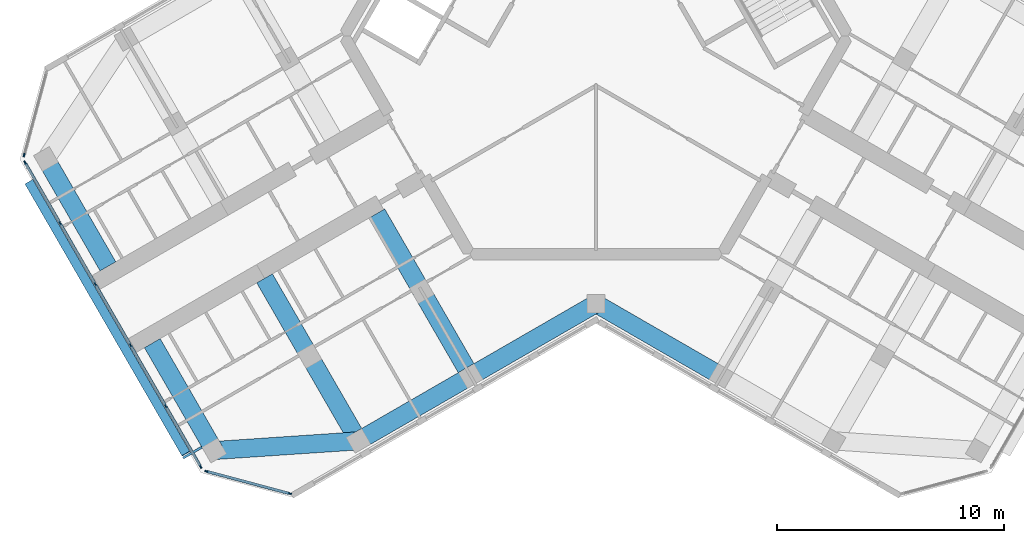
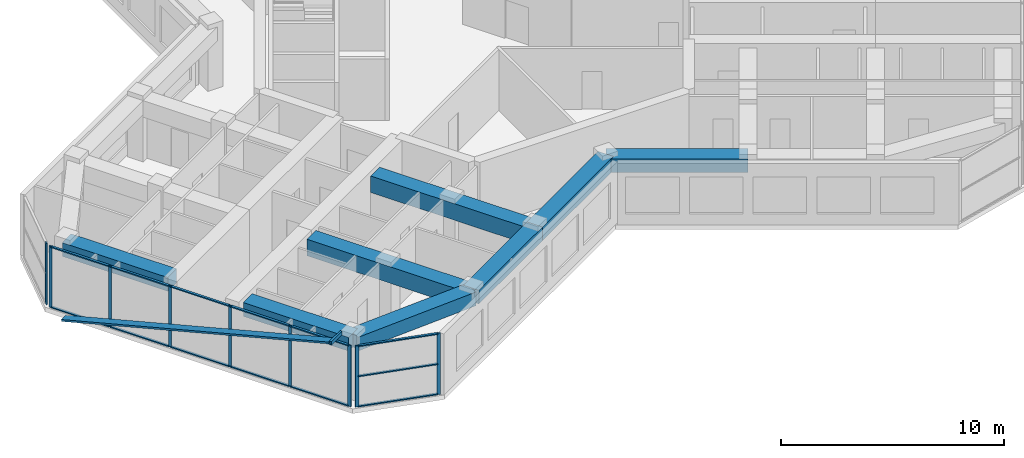
# One storey, part 2 of 14: 24 members, 8 beams, 3 elements without a shape of their own.
"""IFC4 building model written with IfcOpenShell, lengths in metres."""

from ifc_helpers import new_model, si_unit, direction, frame, origin, origin_2d, place, context, subcontext, project, spatial, rectangle, hollow_rectangle, extrude, material, material_profile, profile_set, type_object, element, aggregate, save


model = new_model("IFC4")

# Units and contexts
model_context = context("Model", 3, precision=1e-05, world=origin(), true_north=direction((0.0, 1.0)))
body_context = subcontext(model_context, "Body", "Model", "MODEL_VIEW")
ifc_project = project(units=[si_unit("LENGTHUNIT", "METRE"), si_unit("AREAUNIT", "SQUARE_METRE"), si_unit("VOLUMEUNIT", "CUBIC_METRE"), si_unit("PLANEANGLEUNIT", "RADIAN"), si_unit("MASSUNIT", "GRAM", prefix="KILO")], contexts=[model_context])

# Site, building, storey
site_placement = place(None, origin())
site = spatial("IfcSite", under=ifc_project, at=site_placement, CompositionType="ELEMENT")
building_placement = place(site_placement, origin())
building = spatial("IfcBuilding", under=site, at=building_placement, Name="Kosmar Iwan School Tower", CompositionType="ELEMENT")
storey_placement = place(building_placement, frame((0.0, 0.0, 285.39990234375)))
storey = spatial("IfcBuildingStorey", under=building, at=storey_placement, Name="L72", CompositionType="ELEMENT", Elevation=285.39990234375)

# Members
ifc_material_1 = material(Name="Black anodised aluminium", Category="aluminium")
ifc_material_profile_1 = material_profile(ifc_material_1, rectangle(XDim=0.10009765625, YDim=0.39990234375, at=origin_2d()), Name="FIN 100x400")
ifc_profile_set_1 = profile_set([ifc_material_profile_1], Name="Black anodised aluminium")
member_type_1 = type_object("IfcMemberType", Name="Diagonal fin 100x400", PredefinedType="USERDEFINED", material=ifc_profile_set_1)
member_1_placement = place(storey_placement, frame((-24.926513671875, -6.426025390625, -0.14990234375), z_axis=(0.483800388566, -0.837965217343, 0.2524905514), x_axis=(-0.126245460598, 0.218663124976, 0.96759935999)))
element("IfcMember", 1, at=member_1_placement, inside=storey, type_object=member_type_1, Name="Diagonal fin L72-F13", ObjectType="FIN", PredefinedType="USERDEFINED", context=body_context, shape_type="SweptSolid", body=[
    extrude(rectangle(XDim=0.10009765625, YDim=0.39990234375, at=origin_2d()), origin(), (0.0, 0.0, 1.0), 14.25830078125),
])
ifc_material_2 = material(Name="Steel S355", Category="steel")
ifc_material_profile_2 = material_profile(ifc_material_2, hollow_rectangle(XDim=0.10009765625, YDim=0.199951171875, WallThickness=0.008056640625, at=origin_2d()), Name="RHS 200x100x8")
ifc_profile_set_2 = profile_set([ifc_material_profile_2], Name="Steel S355")
member_type_2 = type_object("IfcMemberType", Name="Fin bracket RHS 200x100", PredefinedType="USERDEFINED", material=ifc_profile_set_2)
member_2_placement = place(storey_placement, frame((-17.327880859375, -18.087158203125, 3.47509765625), z_axis=(-0.865988727248, -0.500063520245, 0.0), x_axis=(0.500063520245, -0.865988727248, 0.0)))
element("IfcMember", 2, at=member_2_placement, inside=storey, type_object=member_type_2, Name="Fin bracket L73", ObjectType="FIN BRACKET", PredefinedType="USERDEFINED", context=body_context, shape_type="SweptSolid", body=[
    extrude(hollow_rectangle(XDim=0.10009765625, YDim=0.199951171875, WallThickness=0.008056640625, at=origin_2d()), origin(), (0.0, 0.0, 1.0), 0.9501953125),
])

# Curtain wall, member
ifc_material_3 = material(Name="Dark glass in black aluminium frame", Category="aluminium")
curtain_wall_type_1 = type_object("IfcCurtainWallType", Name="Chamfer curtain wall dark glass", PredefinedType="USERDEFINED", material=ifc_material_3)
curtain_wall_1_placement = place(storey_placement, origin())
curtain_wall_1 = element("IfcCurtainWall", 3, at=curtain_wall_1_placement, inside=storey, type_object=curtain_wall_type_1, Name="Curtain wall L72-F12", ObjectType="FACETED CURTAIN WALL", PredefinedType="USERDEFINED")
ifc_material_4 = material(Name="Black anodised aluminium", Category="aluminium")
ifc_material_profile_3 = material_profile(ifc_material_4, rectangle(XDim=0.06005859375, YDim=0.159912109375, at=origin_2d()), Name="MULLION 60x160")
ifc_profile_set_3 = profile_set([ifc_material_profile_3], Name="Black anodised aluminium")
member_type_3 = type_object("IfcMemberType", Name="Mullion 60x160", PredefinedType="MULLION", material=ifc_profile_set_3)
member_3_placement = place(storey_placement, frame((-25.141845703125, -5.24853515625, 0.0), z_axis=(0.0, 0.0, 1.0), x_axis=(0.965925875495, -0.258818861462, 0.0)))
member_3 = element("IfcMember", 4, at=member_3_placement, type_object=member_type_3, Name="CW2 mullion 2", PredefinedType="MULLION", context=body_context, shape_type="SweptSolid", body=[
    extrude(rectangle(XDim=0.06005859375, YDim=0.159912109375, at=origin_2d()), origin(), (0.0, 0.0, 1.0), 3.35009765625),
])
aggregate(curtain_wall_1, [member_3])

# Curtain wall, members
ifc_material_5 = material(Name="Dark glass in black aluminium frame", Category="aluminium")
curtain_wall_type_2 = type_object("IfcCurtainWallType", Name="Tower curtain wall dark glass", PredefinedType="USERDEFINED", material=ifc_material_5)
curtain_wall_2_placement = place(storey_placement, origin())
curtain_wall_2 = element("IfcCurtainWall", 5, at=curtain_wall_2_placement, inside=storey, type_object=curtain_wall_type_2, Name="Curtain wall L72-F13", ObjectType="UNITISED CURTAIN WALL", PredefinedType="USERDEFINED")
member_4_placement = place(storey_placement, frame((-25.098388671875, -5.578369140625, 0.0), z_axis=(0.0, 0.0, 1.0), x_axis=(0.866025405329, 0.499999997325, 0.0)))
member_4 = element("IfcMember", 6, at=member_4_placement, type_object=member_type_3, Name="CW1 mullion 1", PredefinedType="MULLION", context=body_context, shape_type="SweptSolid", body=[
    extrude(rectangle(XDim=0.06005859375, YDim=0.159912109375, at=origin_2d()), origin(), (0.0, 0.0, 1.0), 3.35009765625),
])
member_5_placement = place(storey_placement, frame((-23.563720703125, -8.236328125, 0.0), z_axis=(0.0, 0.0, 1.0), x_axis=(0.866025405329, 0.499999997325, 0.0)))
member_5 = element("IfcMember", 7, at=member_5_placement, type_object=member_type_3, Name="CW1 mullion 2", PredefinedType="MULLION", context=body_context, shape_type="SweptSolid", body=[
    extrude(rectangle(XDim=0.06005859375, YDim=0.159912109375, at=origin_2d()), origin(), (0.0, 0.0, 1.0), 3.35009765625),
])
member_6_placement = place(storey_placement, frame((-22.01416015625, -10.92041015625, 0.0), z_axis=(0.0, 0.0, 1.0), x_axis=(0.866025405329, 0.499999997325, 0.0)))
member_6 = element("IfcMember", 8, at=member_6_placement, type_object=member_type_3, Name="CW1 mullion 3", PredefinedType="MULLION", context=body_context, shape_type="SweptSolid", body=[
    extrude(rectangle(XDim=0.06005859375, YDim=0.159912109375, at=origin_2d()), origin(), (0.0, 0.0, 1.0), 3.35009765625),
])
member_7_placement = place(storey_placement, frame((-20.46435546875, -13.6044921875, 0.0), z_axis=(0.0, 0.0, 1.0), x_axis=(0.866025405329, 0.499999997325, 0.0)))
member_7 = element("IfcMember", 9, at=member_7_placement, type_object=member_type_3, Name="CW1 mullion 4", PredefinedType="MULLION", context=body_context, shape_type="SweptSolid", body=[
    extrude(rectangle(XDim=0.06005859375, YDim=0.159912109375, at=origin_2d()), origin(), (0.0, 0.0, 1.0), 3.35009765625),
])
member_8_placement = place(storey_placement, frame((-18.914794921875, -16.28857421875, 0.0), z_axis=(0.0, 0.0, 1.0), x_axis=(0.866025405329, 0.499999997325, 0.0)))
member_8 = element("IfcMember", 10, at=member_8_placement, type_object=member_type_3, Name="CW1 mullion 5", PredefinedType="MULLION", context=body_context, shape_type="SweptSolid", body=[
    extrude(rectangle(XDim=0.06005859375, YDim=0.159912109375, at=origin_2d()), origin(), (0.0, 0.0, 1.0), 3.35009765625),
])
member_9_placement = place(storey_placement, frame((-17.380126953125, -18.94677734375, 0.0), z_axis=(0.0, 0.0, 1.0), x_axis=(0.866025405329, 0.499999997325, 0.0)))
member_9 = element("IfcMember", 11, at=member_9_placement, type_object=member_type_3, Name="CW1 mullion 6", PredefinedType="MULLION", context=body_context, shape_type="SweptSolid", body=[
    extrude(rectangle(XDim=0.06005859375, YDim=0.159912109375, at=origin_2d()), origin(), (0.0, 0.0, 1.0), 3.35009765625),
])

curtain_wall_3_placement = place(storey_placement, origin())
curtain_wall_3 = element("IfcCurtainWall", 12, at=curtain_wall_3_placement, inside=storey, type_object=curtain_wall_type_1, Name="Curtain wall L72-F14", ObjectType="FACETED CURTAIN WALL", PredefinedType="USERDEFINED")
member_10_placement = place(storey_placement, frame((-17.1162109375, -19.149169921875, 0.0), z_axis=(0.0, 0.0, 1.0), x_axis=(0.258818861462, 0.965925875495, 0.0)))
member_10 = element("IfcMember", 13, at=member_10_placement, type_object=member_type_3, Name="CW2 mullion 1", PredefinedType="MULLION", context=body_context, shape_type="SweptSolid", body=[
    extrude(rectangle(XDim=0.06005859375, YDim=0.159912109375, at=origin_2d()), origin(), (0.0, 0.0, 1.0), 3.35009765625),
])
member_11_placement = place(storey_placement, frame((-13.466064453125, -20.127197265625, 0.0), z_axis=(0.0, 0.0, 1.0), x_axis=(0.258818861462, 0.965925875495, 0.0)))
member_11 = element("IfcMember", 14, at=member_11_placement, type_object=member_type_3, Name="CW2 mullion 2", PredefinedType="MULLION", context=body_context, shape_type="SweptSolid", body=[
    extrude(rectangle(XDim=0.06005859375, YDim=0.159912109375, at=origin_2d()), origin(), (0.0, 0.0, 1.0), 3.35009765625),
])

# Beams
ifc_material_6 = material(Name="Concrete C50/60", Category="concrete")
ifc_material_profile_4 = material_profile(ifc_material_6, rectangle(XDim=0.800048828125, YDim=0.75, at=origin_2d()), Name="RC 800x750")
ifc_profile_set_4 = profile_set([ifc_material_profile_4], Name="Concrete C50/60")
beam_type_1 = type_object("IfcBeamType", Name="RC edge beam 800x750", PredefinedType="BEAM", material=ifc_profile_set_4)
beam_1_placement = place(storey_placement, frame((0.0, -11.77783203125, 2.97509765625), z_axis=(-0.866014293216, -0.500019243575, 0.0), x_axis=(0.500019243575, -0.866014293216, 0.0)))
element("IfcBeam", 15, at=beam_1_placement, inside=storey, type_object=beam_type_1, Name="Edge beam BL1", PredefinedType="BEAM", context=body_context, shape_type="SweptSolid", body=[
    extrude(rectangle(XDim=0.800048828125, YDim=0.75, at=origin_2d()), origin(), (0.0, 0.0, 1.0), 6.361083984375),
])
beam_2_placement = place(storey_placement, frame((-5.5087890625, -14.95849609375, 2.97509765625), z_axis=(-0.866033658841, -0.49998570155, 0.0), x_axis=(0.49998570155, -0.866033658841, 0.0)))
element("IfcBeam", 16, at=beam_2_placement, inside=storey, type_object=beam_type_1, Name="Edge beam BL2", PredefinedType="BEAM", context=body_context, shape_type="SweptSolid", body=[
    extrude(rectangle(XDim=0.800048828125, YDim=0.75, at=origin_2d()), origin(), (0.0, 0.0, 1.0), 5.699951171875),
])
beam_3_placement = place(storey_placement, frame((0.0, -11.77783203125, 2.97509765625), z_axis=(0.866014293216, -0.500019243575, 0.0), x_axis=(0.500019243575, 0.866014293216, 0.0)))
element("IfcBeam", 17, at=beam_3_placement, inside=storey, type_object=beam_type_1, Name="Edge beam CR1", PredefinedType="BEAM", context=body_context, shape_type="SweptSolid", body=[
    extrude(rectangle(XDim=0.800048828125, YDim=0.75, at=origin_2d()), origin(), (0.0, 0.0, 1.0), 6.361083984375),
])
ifc_material_7 = material(Name="Concrete C50/60", Category="concrete")
ifc_material_profile_5 = material_profile(ifc_material_7, rectangle(XDim=0.800048828125, YDim=0.75, at=origin_2d()), Name="RC 800x750")
ifc_profile_set_5 = profile_set([ifc_material_profile_5], Name="Concrete C50/60")
beam_type_2 = type_object("IfcBeamType", Name="RC tip beam 800x750", PredefinedType="BEAM", material=ifc_profile_set_5)
beam_4_placement = place(storey_placement, frame((-10.445068359375, -17.808349609375, 2.97509765625), z_axis=(-0.997755118724, -0.066968074933, 0.0), x_axis=(0.066968074933, -0.997755118724, 0.0)))
element("IfcBeam", 18, at=beam_4_placement, inside=storey, type_object=beam_type_2, Name="Tip beam BL", PredefinedType="BEAM", context=body_context, shape_type="SweptSolid", body=[
    extrude(rectangle(XDim=0.800048828125, YDim=0.75, at=origin_2d()), origin(), (0.0, 0.0, 1.0), 6.3505859375),
])
beam_5_placement = place(storey_placement, frame((-16.781494140625, -18.233642578125, 2.97509765625), z_axis=(-0.500002931134, 0.866023711487, 0.0), x_axis=(-0.866023711487, -0.500002931134, 0.0)))
element("IfcBeam", 19, at=beam_5_placement, inside=storey, type_object=beam_type_2, Name="Tip beam BL to corridor wall", PredefinedType="BEAM", context=body_context, shape_type="SweptSolid", body=[
    extrude(rectangle(XDim=0.800048828125, YDim=0.75, at=origin_2d()), origin(), (0.0, 0.0, 1.0), 5.4501953125),
])
beam_6_placement = place(storey_placement, frame((-24.181396484375, -5.41650390625, 2.97509765625), z_axis=(0.499988730927, -0.866031909889, 0.0), x_axis=(0.866031909889, 0.499988730927, 0.0)))
element("IfcBeam", 20, at=beam_6_placement, inside=storey, type_object=beam_type_2, Name="Tip beam BR to corridor wall", PredefinedType="BEAM", context=body_context, shape_type="SweptSolid", body=[
    extrude(rectangle(XDim=0.800048828125, YDim=0.75, at=origin_2d()), origin(), (0.0, 0.0, 1.0), 5.449951171875),
])
ifc_material_8 = material(Name="Concrete C50/60", Category="concrete")
ifc_material_profile_6 = material_profile(ifc_material_8, rectangle(XDim=0.800048828125, YDim=0.89990234375, at=origin_2d()), Name="RC 800x900")
ifc_profile_set_6 = profile_set([ifc_material_profile_6], Name="Concrete C50/60")
beam_type_3 = type_object("IfcBeamType", Name="RC transverse beam 800x900", PredefinedType="BEAM", material=ifc_profile_set_6)
beam_7_placement = place(storey_placement, frame((-5.5087890625, -14.95849609375, 2.900146484375), z_axis=(-0.499996545922, 0.866027397988, 0.0), x_axis=(-0.866027397988, -0.499996545922, 0.0)))
element("IfcBeam", 21, at=beam_7_placement, inside=storey, type_object=beam_type_3, Name="Transverse beam BL1", PredefinedType="BEAM", context=body_context, shape_type="SweptSolid", body=[
    extrude(rectangle(XDim=0.800048828125, YDim=0.89990234375, at=origin_2d()), origin(), (0.0, 0.0, 1.0), 8.25),
])
beam_8_placement = place(storey_placement, frame((-10.445068359375, -17.808349609375, 2.900146484375), z_axis=(-0.500009360108, 0.866019999656, 0.0), x_axis=(-0.866019999656, -0.500009360108, 0.0)))
element("IfcBeam", 22, at=beam_8_placement, inside=storey, type_object=beam_type_3, Name="Transverse beam BL2", PredefinedType="BEAM", context=body_context, shape_type="SweptSolid", body=[
    extrude(rectangle(XDim=0.800048828125, YDim=0.89990234375, at=origin_2d()), origin(), (0.0, 0.0, 1.0), 8.249755859375),
])

# Member
ifc_material_9 = material(Name="Black anodised aluminium", Category="aluminium")
ifc_material_profile_7 = material_profile(ifc_material_9, rectangle(XDim=0.1201171875, YDim=0.06005859375, at=origin_2d()), Name="TRANSOM 60x120")
ifc_profile_set_7 = profile_set([ifc_material_profile_7], Name="Black anodised aluminium")
member_type_4 = type_object("IfcMemberType", Name="Transom 60x120", PredefinedType="USERDEFINED", material=ifc_profile_set_7)
member_12_placement = place(storey_placement, frame((-25.08349609375, -5.604248046875, 0.030029296875), z_axis=(0.499986971506, -0.866032925658, 0.0), x_axis=(0.866032925658, 0.499986971506, 0.0)))
member_12 = element("IfcMember", 23, at=member_12_placement, type_object=member_type_4, Name="CW1 transom 1.1", ObjectType="TRANSOM", PredefinedType="USERDEFINED", context=body_context, shape_type="SweptSolid", body=[
    extrude(rectangle(XDim=0.1201171875, YDim=0.06005859375, at=origin_2d()), origin(), (0.0, 0.0, 1.0), 3.00927734375),
])

member_13_placement = place(storey_placement, frame((-25.08349609375, -5.604248046875, 3.320068359375), z_axis=(0.499986971506, -0.866032925658, 0.0), x_axis=(0.866032925658, 0.499986971506, 0.0)))
member_13 = element("IfcMember", 24, at=member_13_placement, type_object=member_type_4, Name="CW1 transom 1.2", ObjectType="TRANSOM", PredefinedType="USERDEFINED", context=body_context, shape_type="SweptSolid", body=[
    extrude(rectangle(XDim=0.1201171875, YDim=0.06005859375, at=origin_2d()), origin(), (0.0, 0.0, 1.0), 3.00927734375),
])

member_14_placement = place(storey_placement, frame((-23.548828125, -8.262451171875, 0.030029296875), z_axis=(0.500035348339, -0.866004994449, 0.0), x_axis=(0.866004994449, 0.500035348339, 0.0)))
member_14 = element("IfcMember", 25, at=member_14_placement, type_object=member_type_4, Name="CW1 transom 2.1", ObjectType="TRANSOM", PredefinedType="USERDEFINED", context=body_context, shape_type="SweptSolid", body=[
    extrude(rectangle(XDim=0.1201171875, YDim=0.06005859375, at=origin_2d()), origin(), (0.0, 0.0, 1.0), 3.039306640625),
])

member_15_placement = place(storey_placement, frame((-23.548828125, -8.262451171875, 3.320068359375), z_axis=(0.500035348339, -0.866004994449, 0.0), x_axis=(0.866004994449, 0.500035348339, 0.0)))
member_15 = element("IfcMember", 26, at=member_15_placement, type_object=member_type_4, Name="CW1 transom 2.2", ObjectType="TRANSOM", PredefinedType="USERDEFINED", context=body_context, shape_type="SweptSolid", body=[
    extrude(rectangle(XDim=0.1201171875, YDim=0.06005859375, at=origin_2d()), origin(), (0.0, 0.0, 1.0), 3.039306640625),
])

member_16_placement = place(storey_placement, frame((-21.9990234375, -10.946533203125, 0.030029296875), z_axis=(0.499975102327, -0.866039777986, 0.0), x_axis=(0.866039777986, 0.499975102327, 0.0)))
member_16 = element("IfcMember", 27, at=member_16_placement, type_object=member_type_4, Name="CW1 transom 3.1", ObjectType="TRANSOM", PredefinedType="USERDEFINED", context=body_context, shape_type="SweptSolid", body=[
    extrude(rectangle(XDim=0.1201171875, YDim=0.06005859375, at=origin_2d()), origin(), (0.0, 0.0, 1.0), 3.039306640625),
])

member_17_placement = place(storey_placement, frame((-21.9990234375, -10.946533203125, 3.320068359375), z_axis=(0.499975102327, -0.866039777986, 0.0), x_axis=(0.866039777986, 0.499975102327, 0.0)))
member_17 = element("IfcMember", 28, at=member_17_placement, type_object=member_type_4, Name="CW1 transom 3.2", ObjectType="TRANSOM", PredefinedType="USERDEFINED", context=body_context, shape_type="SweptSolid", body=[
    extrude(rectangle(XDim=0.1201171875, YDim=0.06005859375, at=origin_2d()), origin(), (0.0, 0.0, 1.0), 3.039306640625),
])

member_18_placement = place(storey_placement, frame((-20.449462890625, -13.630615234375, 0.030029296875), z_axis=(0.500035348339, -0.866004994449, 0.0), x_axis=(0.866004994449, 0.500035348339, 0.0)))
member_18 = element("IfcMember", 29, at=member_18_placement, type_object=member_type_4, Name="CW1 transom 4.1", ObjectType="TRANSOM", PredefinedType="USERDEFINED", context=body_context, shape_type="SweptSolid", body=[
    extrude(rectangle(XDim=0.1201171875, YDim=0.06005859375, at=origin_2d()), origin(), (0.0, 0.0, 1.0), 3.039306640625),
])

member_19_placement = place(storey_placement, frame((-20.449462890625, -13.630615234375, 3.320068359375), z_axis=(0.500035348339, -0.866004994449, 0.0), x_axis=(0.866004994449, 0.500035348339, 0.0)))
member_19 = element("IfcMember", 30, at=member_19_placement, type_object=member_type_4, Name="CW1 transom 4.2", ObjectType="TRANSOM", PredefinedType="USERDEFINED", context=body_context, shape_type="SweptSolid", body=[
    extrude(rectangle(XDim=0.1201171875, YDim=0.06005859375, at=origin_2d()), origin(), (0.0, 0.0, 1.0), 3.039306640625),
])

member_20_placement = place(storey_placement, frame((-18.89990234375, -16.314697265625, 0.030029296875), z_axis=(0.500022102064, -0.866012642776, 0.0), x_axis=(0.866012642776, 0.500022102064, 0.0)))
member_20 = element("IfcMember", 31, at=member_20_placement, type_object=member_type_4, Name="CW1 transom 5.1", ObjectType="TRANSOM", PredefinedType="USERDEFINED", context=body_context, shape_type="SweptSolid", body=[
    extrude(rectangle(XDim=0.1201171875, YDim=0.06005859375, at=origin_2d()), origin(), (0.0, 0.0, 1.0), 3.009033203125),
])

member_21_placement = place(storey_placement, frame((-18.89990234375, -16.314697265625, 3.320068359375), z_axis=(0.500022102064, -0.866012642776, 0.0), x_axis=(0.866012642776, 0.500022102064, 0.0)))
member_21 = element("IfcMember", 32, at=member_21_placement, type_object=member_type_4, Name="CW1 transom 5.2", ObjectType="TRANSOM", PredefinedType="USERDEFINED", context=body_context, shape_type="SweptSolid", body=[
    extrude(rectangle(XDim=0.1201171875, YDim=0.06005859375, at=origin_2d()), origin(), (0.0, 0.0, 1.0), 3.009033203125),
])

aggregate(curtain_wall_2, [member_4, member_5, member_6, member_7, member_8, member_9, member_12, member_13, member_14, member_15, member_16, member_17, member_18, member_19, member_20, member_21])

member_22_placement = place(storey_placement, frame((-17.08740234375, -19.156982421875, 0.030029296875), z_axis=(0.965940141052, -0.258765615768, 0.0), x_axis=(0.258765615768, 0.965940141052, 0.0)))
member_22 = element("IfcMember", 33, at=member_22_placement, type_object=member_type_4, Name="CW2 transom 1.1", ObjectType="TRANSOM", PredefinedType="USERDEFINED", context=body_context, shape_type="SweptSolid", body=[
    extrude(rectangle(XDim=0.1201171875, YDim=0.06005859375, at=origin_2d()), origin(), (0.0, 0.0, 1.0), 3.71923828125),
])

member_23_placement = place(storey_placement, frame((-17.08740234375, -19.156982421875, 1.675048828125), z_axis=(0.965940141052, -0.258765615768, 0.0), x_axis=(0.258765615768, 0.965940141052, 0.0)))
member_23 = element("IfcMember", 34, at=member_23_placement, type_object=member_type_4, Name="CW2 transom 1.2", ObjectType="TRANSOM", PredefinedType="USERDEFINED", context=body_context, shape_type="SweptSolid", body=[
    extrude(rectangle(XDim=0.1201171875, YDim=0.06005859375, at=origin_2d()), origin(), (0.0, 0.0, 1.0), 3.71923828125),
])

member_24_placement = place(storey_placement, frame((-17.08740234375, -19.156982421875, 3.320068359375), z_axis=(0.965940141052, -0.258765615768, 0.0), x_axis=(0.258765615768, 0.965940141052, 0.0)))
member_24 = element("IfcMember", 35, at=member_24_placement, type_object=member_type_4, Name="CW2 transom 1.3", ObjectType="TRANSOM", PredefinedType="USERDEFINED", context=body_context, shape_type="SweptSolid", body=[
    extrude(rectangle(XDim=0.1201171875, YDim=0.06005859375, at=origin_2d()), origin(), (0.0, 0.0, 1.0), 3.71923828125),
])

aggregate(curtain_wall_3, [member_10, member_11, member_22, member_23, member_24])

save(model, "model.ifc")
